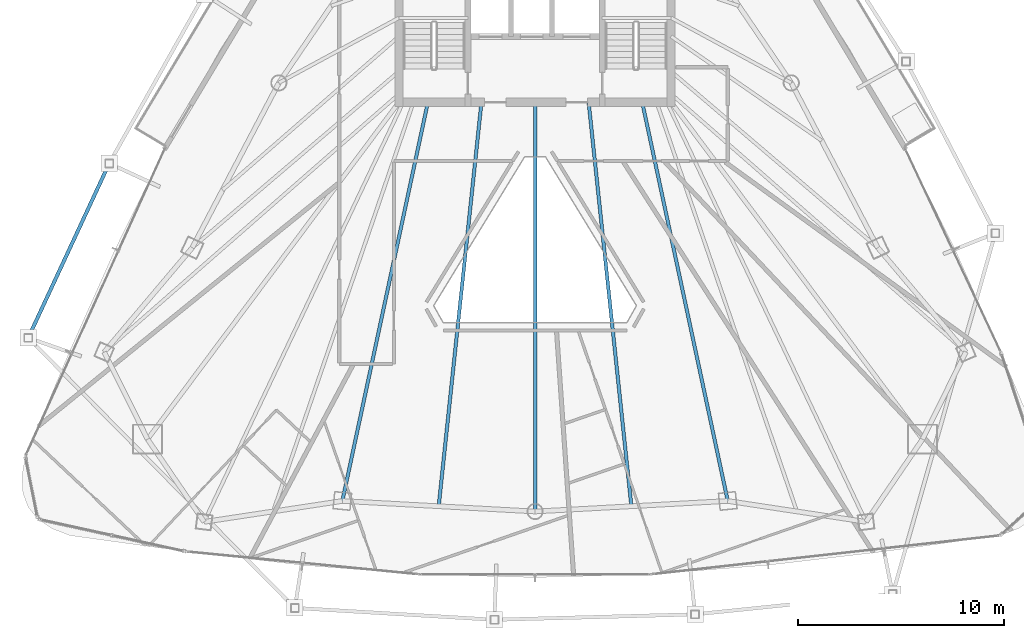
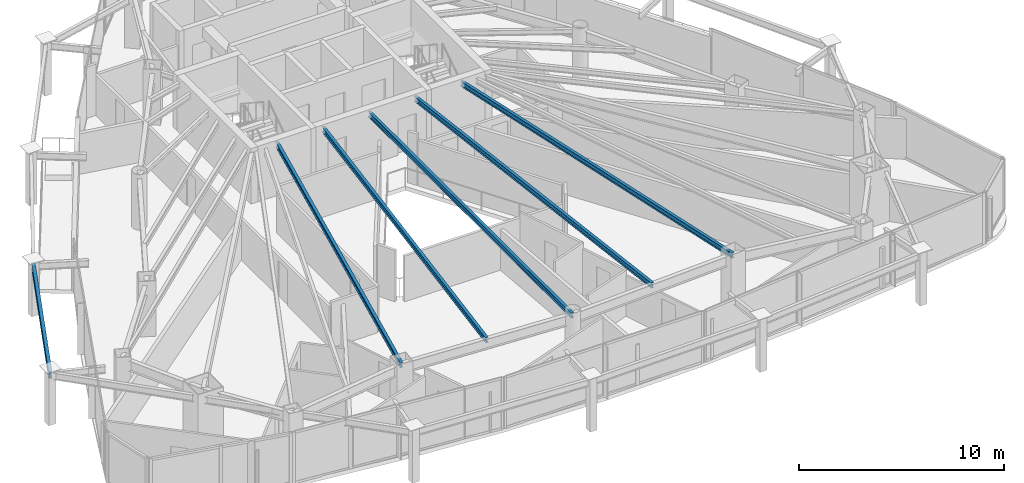
# One storey, part 9 of 29: 6 beams.
"""IFC4 building model written with IfcOpenShell, lengths in metres."""

from ifc_helpers import new_model, si_unit, direction, frame, origin, origin_2d, place, context, subcontext, project, spatial, i_section, extrude, material, material_profile, profile_set, type_object, element, save


model = new_model("IFC4")

# Units and contexts
model_context = context("Model", 3, precision=1e-05, world=origin(), true_north=direction((0.0, 1.0)))
body_context = subcontext(model_context, "Body", "Model", "MODEL_VIEW")
ifc_project = project(units=[si_unit("LENGTHUNIT", "METRE"), si_unit("AREAUNIT", "SQUARE_METRE"), si_unit("VOLUMEUNIT", "CUBIC_METRE"), si_unit("PLANEANGLEUNIT", "RADIAN"), si_unit("MASSUNIT", "GRAM", prefix="KILO")], contexts=[model_context])

# Site, building, storey
site_placement = place(None, origin())
site = spatial("IfcSite", under=ifc_project, at=site_placement, CompositionType="ELEMENT")
building_placement = place(site_placement, origin())
building = spatial("IfcBuilding", under=site, at=building_placement, Name="Orvanel Arch Residences", CompositionType="ELEMENT")
storey_placement = place(building_placement, frame((0.0, 0.0, 167.14990234375)))
storey = spatial("IfcBuildingStorey", under=building, at=storey_placement, Name="L47", CompositionType="ELEMENT", Elevation=167.14990234375)

# Beams
ifc_material = material(Name="Structural steel AS/NZS 3679.1 Grade 300 (300 MPa)", Category="steel")
ifc_material_profile_1 = material_profile(ifc_material, i_section(OverallWidth=0.1650390625, OverallDepth=0.303955078125, WebThickness=0.006103515625, FlangeThickness=0.01025390625, at=origin_2d()), Name="310UB40.4")
ifc_profile_set_1 = profile_set([ifc_material_profile_1], Name="Structural steel AS/NZS 3679.1 Grade 300 (300 MPa)")
beam_type_1 = type_object("IfcBeamType", Name="BJ-310UB", PredefinedType="JOIST", material=ifc_profile_set_1)
for number, where, z_axis, x_axis, name in (
    (1, (27.800048828125, 26.699951171875, 2.908203125), (-0.209808012425, -0.977742603103, 0.0), (0.977742603103, -0.209808012425, 0.0), "L47 SW Wing Floor Joist"),
    (2, (38.199951171875, 26.699951171875, 2.908203125), (0.209808012425, -0.977742603103, 0.0), (0.977742603103, 0.209808012425, 0.0), "L47 SE Wing Floor Joist"),
):
    element("IfcBeam", number, at=place(storey_placement, frame(where, z_axis=z_axis, x_axis=x_axis)), inside=storey, type_object=beam_type_1, Name=name, PredefinedType="JOIST", context=body_context, shape_type="SweptSolid", body=[
        extrude(i_section(OverallWidth=0.1650390625, OverallDepth=0.303955078125, WebThickness=0.006103515625, FlangeThickness=0.01025390625, at=origin_2d()), origin(), (0.0, 0.0, 1.0), 19.785400390625),
    ])
beam_1_placement = place(storey_placement, frame((33.0, 26.699951171875, 2.908203125), z_axis=(0.0, -1.0, 0.0), x_axis=(1.0, 0.0, 0.0)))
element("IfcBeam", 3, at=beam_1_placement, inside=storey, type_object=beam_type_1, Name="L47 SSW Wing Floor Joist", PredefinedType="JOIST", context=body_context, shape_type="SweptSolid", body=[
    extrude(i_section(OverallWidth=0.1650390625, OverallDepth=0.303955078125, WebThickness=0.006103515625, FlangeThickness=0.01025390625, at=origin_2d()), origin(), (0.0, 0.0, 1.0), 19.85595703125),
])
for number, where, z_axis, x_axis, name in (
    (4, (30.39990234375, 26.699951171875, 2.908203125), (-0.105277340935, -0.994442900063, 0.0), (0.994442900063, -0.105277340935, 0.0), "L47 WSW2 Wing Floor Joist"),
    (5, (35.60009765625, 26.699951171875, 2.908203125), (0.105277340935, -0.994442900063, 0.0), (0.994442900063, 0.105277340935, 0.0), "L47 ESE2 Wing Floor Joist"),
):
    element("IfcBeam", number, at=place(storey_placement, frame(where, z_axis=z_axis, x_axis=x_axis)), inside=storey, type_object=beam_type_1, Name=name, PredefinedType="JOIST", context=body_context, shape_type="SweptSolid", body=[
        extrude(i_section(OverallWidth=0.1650390625, OverallDepth=0.303955078125, WebThickness=0.006103515625, FlangeThickness=0.01025390625, at=origin_2d()), origin(), (0.0, 0.0, 1.0), 19.70947265625),
    ])
ifc_material_profile_2 = material_profile(ifc_material, i_section(OverallWidth=0.177978515625, OverallDepth=0.406005859375, WebThickness=0.0078125, FlangeThickness=0.0126953125, at=origin_2d()), Name="410UB59.7")
ifc_profile_set_2 = profile_set([ifc_material_profile_2], Name="Structural steel AS/NZS 3679.1 Grade 300 (300 MPa)")
beam_type_2 = type_object("IfcBeamType", Name="OB-410UB-EXT", PredefinedType="SPANDREL", material=ifc_profile_set_2)
beam_2_placement = place(storey_placement, frame((12.337890625, 23.73291015625, 2.857177734375), z_axis=(-0.421169744056, -0.906981833717, 0.0), x_axis=(0.906981833717, -0.421169744056, 0.0)))
element("IfcBeam", 6, at=beam_2_placement, inside=storey, type_object=beam_type_2, Name="L47 Outer Perimeter Floor Ring Beam 03", PredefinedType="SPANDREL", context=body_context, shape_type="SweptSolid", body=[
    extrude(i_section(OverallWidth=0.177978515625, OverallDepth=0.406005859375, WebThickness=0.0078125, FlangeThickness=0.0126953125, at=origin_2d()), origin(), (0.0, 0.0, 1.0), 9.32861328125),
])

save(model, "model.ifc")
